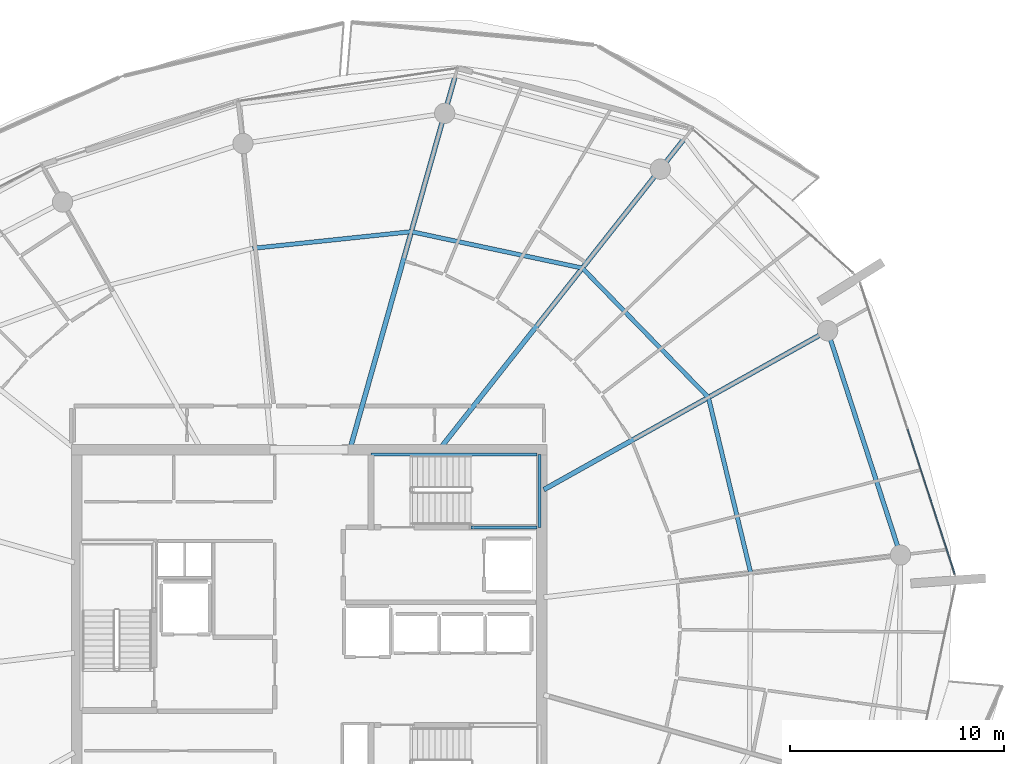
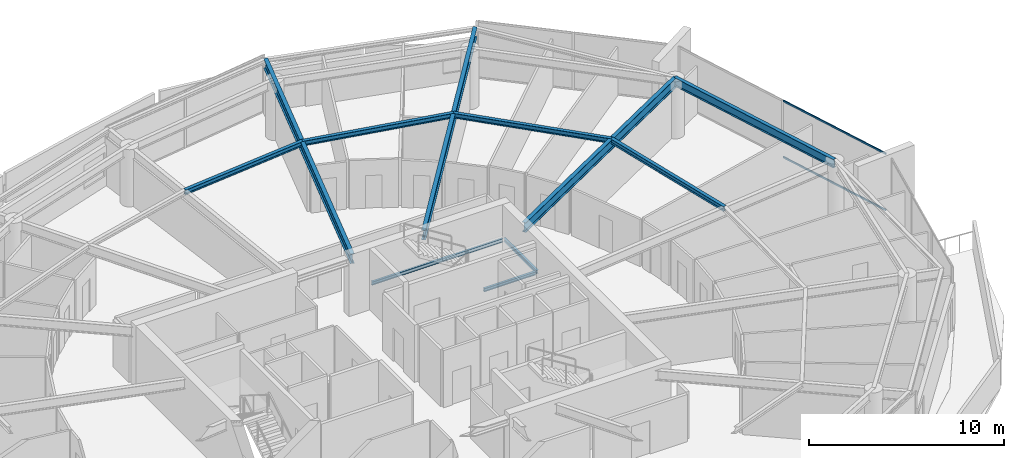
# One storey, part 14 of 30: 11 beams, 2 members, 1 element without a shape of its own.
"""IFC4 building model written with IfcOpenShell, lengths in metres."""

import ifcopenshell
import ifcopenshell.guid

model = None  # the IFC model being written
_history = None  # IfcOwnerHistory: only IFC2X3 demands one
_inside = {}  # id of a spatial element -> (the spatial element, [elements in it])
_under = {}  # id of a project, library or spatial element -> (it, [spatial elements below it])
_declared = {}  # id of a project -> (the project, [libraries it declares])
_typed = {}  # id of a type object -> (the type object, [elements of that type])
_made_of = {}  # id of a material, layer set ... -> (it, [elements and type objects made of it])


def new_model(schema):
    """Start an empty IFC model of exactly this schema.

    Asked for "IFC4X3", IfcOpenShell would pick the latest addendum, in which some entities
    have other attributes; the version numbers below select the first issue.
    IFC2X3 requires an IfcOwnerHistory on every rooted entity: one is made here for all.
    """
    global model, _history
    if schema == "IFC4X3":
        model = ifcopenshell.file(schema_version=(4, 3, 0, 0))
    else:
        model = ifcopenshell.file(schema=schema)
    _inside.clear()
    _under.clear()
    _declared.clear()
    _typed.clear()
    _made_of.clear()
    _history = None
    if model.schema == "IFC2X3":
        org = make("IfcOrganization", Name="unknown")
        user = make(
            "IfcPersonAndOrganization",
            ThePerson=make("IfcPerson", FamilyName="unknown"),
            TheOrganization=org,
        )
        app = make(
            "IfcApplication",
            ApplicationDeveloper=org,
            Version="unknown",
            ApplicationFullName="unknown",
            ApplicationIdentifier="unknown",
        )
        _history = make(
            "IfcOwnerHistory",
            OwningUser=user,
            OwningApplication=app,
            ChangeAction="ADDED",
            CreationDate=0,
        )
    return model


def make(cls, **values):
    """One entity of the class cls with the attributes given. An attribute that is None is left unset."""
    return model.create_entity(
        cls, **{name: value for name, value in values.items() if value is not None}
    )


def rooted(cls, **values):
    """An entity with a GlobalId (a new one), such as an element, a storey or a relation."""
    return make(cls, GlobalId=ifcopenshell.guid.new(), OwnerHistory=_history, **values)


def si_unit(unit_type, name, prefix=None):
    """IfcSIUnit, for example si_unit("LENGTHUNIT", "METRE", prefix="MILLI")."""
    return make("IfcSIUnit", UnitType=unit_type, Prefix=prefix, Name=name)


def assignment(units):
    """IfcUnitAssignment: the units of a project."""
    return None if units is None else make("IfcUnitAssignment", Units=units)


def point(xyz):
    """IfcCartesianPoint."""
    return None if xyz is None else make("IfcCartesianPoint", Coordinates=xyz)


def direction(xyz):
    """IfcDirection."""
    return None if xyz is None else make("IfcDirection", DirectionRatios=xyz)


def frame(location, z_axis=None, x_axis=None):
    """IfcAxis2Placement3D, a coordinate frame: its origin and axes. An axis left out is left unset."""
    return make(
        "IfcAxis2Placement3D",
        Location=point(location),
        Axis=direction(z_axis),
        RefDirection=direction(x_axis),
    )


def frame_2d(location, x_axis=None):
    """IfcAxis2Placement2D, a coordinate frame in the plane: its origin and x axis."""
    return make(
        "IfcAxis2Placement2D", Location=point(location), RefDirection=direction(x_axis)
    )


def origin():
    """The frame at (0, 0, 0) with its axes left unset."""
    return frame((0.0, 0.0, 0.0))


def origin_2d():
    """The frame at (0, 0) in the plane with its x axis left unset."""
    return frame_2d((0.0, 0.0))


def place(relative_to, where):
    """IfcLocalPlacement: puts the frame where relative to a parent placement (None: the world)."""
    return make(
        "IfcLocalPlacement", PlacementRelTo=relative_to, RelativePlacement=where
    )


def context(
    kind, dimensions, precision=None, world=None, true_north=None, identifier=None
):
    """IfcGeometricRepresentationContext, for example the 3D "Model" context."""
    return make(
        "IfcGeometricRepresentationContext",
        ContextIdentifier=identifier,
        ContextType=kind,
        CoordinateSpaceDimension=dimensions,
        Precision=precision,
        WorldCoordinateSystem=world,
        TrueNorth=true_north,
    )


def subcontext(parent, identifier, kind, view, scale=None):
    """IfcGeometricRepresentationSubContext, for example "Body" below "Model"."""
    return make(
        "IfcGeometricRepresentationSubContext",
        ContextIdentifier=identifier,
        ContextType=kind,
        ParentContext=parent,
        TargetScale=scale,
        TargetView=view,
    )


def project(units=None, contexts=None):
    """IfcProject with its units and contexts."""
    return rooted(
        "IfcProject",
        Name="project",
        RepresentationContexts=contexts,
        UnitsInContext=assignment(units),
    )


def spatial(cls, under=None, at=None, **own):
    """A site, building, storey or space (cls), placed at a placement, below another one or the project."""
    s = rooted(cls, ObjectPlacement=at, **own)
    if under is not None:
        _under.setdefault(under.id(), (under, []))[1].append(s)
    return s


def profile(cls, at=None, kind="AREA", **sizes):
    """A parametric profile (cls). Its sizes go by their IFC names, for example OverallWidth=200.0."""
    return make(cls, ProfileType=kind, Position=at, **sizes)


def rectangle(**sizes):
    """IfcRectangleProfileDef."""
    return profile("IfcRectangleProfileDef", **sizes)


def i_section(**sizes):
    """IfcIShapeProfileDef."""
    return profile("IfcIShapeProfileDef", **sizes)


def extrude(swept, where, along, depth):
    """IfcExtrudedAreaSolid: the profile swept, set in the frame where, extruded along a direction by depth."""
    return make(
        "IfcExtrudedAreaSolid",
        SweptArea=swept,
        Position=where,
        ExtrudedDirection=direction(along),
        Depth=depth,
    )


def shape(context_of_items, identifier, shape_type, items):
    """IfcShapeRepresentation: the items that make up one representation, for example the "Body"."""
    return make(
        "IfcShapeRepresentation",
        ContextOfItems=context_of_items,
        RepresentationIdentifier=identifier,
        RepresentationType=shape_type,
        Items=items,
    )


def material(Name=None, Category=None):
    """IfcMaterial."""
    return make("IfcMaterial", Name=Name, Category=Category)


def layer(
    of_material, thickness, ventilated=None, Name=None, Category=None, Priority=None
):
    """IfcMaterialLayer: one layer of a wall or slab, of a material (None: an air gap)."""
    return make(
        "IfcMaterialLayer",
        Material=of_material,
        LayerThickness=thickness,
        IsVentilated=ventilated,
        Name=Name,
        Category=Category,
        Priority=Priority,
    )


def layer_set(layers, Name=None):
    """IfcMaterialLayerSet."""
    return make("IfcMaterialLayerSet", MaterialLayers=layers, LayerSetName=Name)


def material_profile(
    of_material, cross_section, Name=None, Category=None, Priority=None
):
    """IfcMaterialProfile: a cross section and its material."""
    return make(
        "IfcMaterialProfile",
        Name=Name,
        Material=of_material,
        Profile=cross_section,
        Priority=Priority,
        Category=Category,
    )


def profile_set(profiles, Name=None, composite=None):
    """IfcMaterialProfileSet."""
    return make(
        "IfcMaterialProfileSet",
        Name=Name,
        MaterialProfiles=profiles,
        CompositeProfile=composite,
    )


def made_of(thing, what):
    """Note that an element or type object is made of a material, layer set ...; save() writes the relation."""
    if what is not None:
        _made_of.setdefault(what.id(), (what, []))[1].append(thing)
    return thing


def type_object(cls, material=None, **own):
    """A type object (cls), such as IfcWallType, which elements share."""
    return made_of(rooted(cls, **own), material)


def element(
    cls,
    number,
    at=None,
    inside=None,
    cuts=None,
    type_object=None,
    material=None,
    context=None,
    identifier="Body",
    shape_type=None,
    held_by="IfcProductDefinitionShape",
    body=None,
    shapes=None,
    **own,
):
    """One element of the class cls, such as IfcWall. Its Tag is "e" and its number.

    at: its placement. inside: the storey or other place that contains it. cuts: it is an
    opening in that element (IfcRelVoidsElement). A single representation is given by context,
    identifier, shape_type and body (its items); several are given by shapes. held_by: the class
    of the entity that holds the representations. save() writes the other relations.
    """
    e = rooted(cls, Tag="e%d" % number, ObjectPlacement=at, **own)
    if body is not None:
        shapes = [shape(context, identifier, shape_type, body)]
    if shapes is not None:
        e.Representation = make(held_by, Representations=shapes)
    if inside is not None:
        _inside.setdefault(inside.id(), (inside, []))[1].append(e)
    if cuts is not None:
        rooted(
            "IfcRelVoidsElement", RelatingBuildingElement=cuts, RelatedOpeningElement=e
        )
    if type_object is not None:
        _typed.setdefault(type_object.id(), (type_object, []))[1].append(e)
    return made_of(e, material)


def aggregate(whole, parts):
    """IfcRelAggregates: a whole, such as a stair, and the parts it consists of."""
    return rooted("IfcRelAggregates", RelatingObject=whole, RelatedObjects=parts)


def save(model, path):
    """Write the relations noted so far, then the file.

    IfcRelAggregates (storeys below a building ...), IfcRelContainedInSpatialStructure (elements
    in a storey), IfcRelDefinesByType, IfcRelAssociatesMaterial and IfcRelDeclares: one each for
    every whole, place, type object, material and project.
    """
    for whole, parts in _under.values():
        aggregate(whole, parts)
    for where, things in _inside.values():
        rooted(
            "IfcRelContainedInSpatialStructure",
            RelatedElements=things,
            RelatingStructure=where,
        )
    for kind, things in _typed.values():
        rooted("IfcRelDefinesByType", RelatedObjects=things, RelatingType=kind)
    for what, things in _made_of.values():
        rooted("IfcRelAssociatesMaterial", RelatedObjects=things, RelatingMaterial=what)
    for by, libraries in _declared.values():
        rooted("IfcRelDeclares", RelatingContext=by, RelatedDefinitions=libraries)
    model.write(path)


model = new_model("IFC4")

# Units and contexts
model_context = context("Model", 3, precision=1e-05, world=origin(), true_north=direction((0.0, 1.0)))
body_context = subcontext(model_context, "Body", "Model", "MODEL_VIEW")
ifc_project = project(units=[si_unit("LENGTHUNIT", "METRE"), si_unit("AREAUNIT", "SQUARE_METRE"), si_unit("VOLUMEUNIT", "CUBIC_METRE"), si_unit("PLANEANGLEUNIT", "RADIAN"), si_unit("MASSUNIT", "GRAM", prefix="KILO")], contexts=[model_context])

# Site, building, storey
site_placement = place(None, origin())
site = spatial("IfcSite", under=ifc_project, at=site_placement, CompositionType="ELEMENT")
building_placement = place(site_placement, origin())
building = spatial("IfcBuilding", under=site, at=building_placement, Name="Kazma Halo Residences", CompositionType="ELEMENT")
storey_placement = place(building_placement, frame((0.0, 0.0, 279.050048828125)))
storey = spatial("IfcBuildingStorey", under=building, at=storey_placement, Name="L70", CompositionType="ELEMENT", Elevation=279.050048828125)

# Beams
ifc_material_1 = material(Name="Steel S355", Category="steel")
ifc_material_profile_1 = material_profile(ifc_material_1, i_section(OverallWidth=0.22802734375, OverallDepth=0.60791015625, WebThickness=0.01123046875, FlangeThickness=0.017333984375, FilletRadius=0.01806640625, at=origin_2d()), Name="W610x113")
ifc_profile_set_1 = profile_set([ifc_material_profile_1], Name="Steel S355")
beam_type_1 = type_object("IfcBeamType", Name="BM-RAD-W610", PredefinedType="BEAM", material=ifc_profile_set_1)
beam_1_placement = place(storey_placement, frame((59.39990234375, 48.38427734375, 3.285888671875), z_axis=(0.872501636424, 0.488611189432, 0.0), x_axis=(-0.488611189432, 0.872501636424, 0.0)))
element("IfcBeam", 1, at=beam_1_placement, inside=storey, type_object=beam_type_1, Name="L70 radial floor beam 01", PredefinedType="BEAM", context=body_context, shape_type="SweptSolid", body=[
    extrude(i_section(OverallWidth=0.22802734375, OverallDepth=0.60791015625, WebThickness=0.01123046875, FlangeThickness=0.017333984375, FilletRadius=0.01806640625, at=origin_2d()), origin(), (0.0, 0.0, 1.0), 15.209716796875),
])
beam_2_placement = place(storey_placement, frame((54.58251953125, 50.35009765625, 3.285888671875), z_axis=(0.619094367176, 0.785316601461, 0.0), x_axis=(-0.785316601461, 0.619094367176, 0.0)))
element("IfcBeam", 2, at=beam_2_placement, inside=storey, type_object=beam_type_1, Name="L70 radial floor beam 02", PredefinedType="BEAM", context=body_context, shape_type="SweptSolid", body=[
    extrude(i_section(OverallWidth=0.22802734375, OverallDepth=0.60791015625, WebThickness=0.01123046875, FlangeThickness=0.017333984375, FilletRadius=0.01806640625, at=origin_2d()), origin(), (0.0, 0.0, 1.0), 18.429931640625),
])
beam_3_placement = place(storey_placement, frame((50.35498046875, 50.35009765625, 3.285888671875), z_axis=(0.271443175073, 0.962454467861, 0.0), x_axis=(-0.962454467861, 0.271443175073, 0.0)))
element("IfcBeam", 3, at=beam_3_placement, inside=storey, type_object=beam_type_1, Name="L70 radial floor beam 03", PredefinedType="BEAM", context=body_context, shape_type="SweptSolid", body=[
    extrude(i_section(OverallWidth=0.22802734375, OverallDepth=0.60791015625, WebThickness=0.01123046875, FlangeThickness=0.017333984375, FilletRadius=0.01806640625, at=origin_2d()), origin(), (0.0, 0.0, 1.0), 18.089111328125),
])
ifc_material_profile_2 = material_profile(ifc_material_1, i_section(OverallWidth=0.202880859375, OverallDepth=0.302978515625, WebThickness=0.007568359375, FlangeThickness=0.01318359375, FilletRadius=0.013916015625, at=origin_2d()), Name="W310x60")
ifc_profile_set_2 = profile_set([ifc_material_profile_2], Name="Steel S355")
beam_type_2 = type_object("IfcBeamType", Name="BM-SEC-W310A", PredefinedType="JOIST", material=ifc_profile_set_2)
beam_4_placement = place(storey_placement, frame((67.0966796875, 52.694580078125, 3.4384765625), z_axis=(-0.697959749995, 0.716136989261, 0.0), x_axis=(-0.716136989261, -0.697959749995, 0.0)))
element("IfcBeam", 4, at=beam_4_placement, inside=storey, type_object=beam_type_2, Name="L70 circumferential floor joist 01", PredefinedType="JOIST", context=body_context, shape_type="SweptSolid", body=[
    extrude(i_section(OverallWidth=0.202880859375, OverallDepth=0.302978515625, WebThickness=0.007568359375, FlangeThickness=0.01318359375, FilletRadius=0.013916015625, at=origin_2d()), origin(), (0.0, 0.0, 1.0), 8.4482421875),
])
beam_5_placement = place(storey_placement, frame((61.2001953125, 58.74462890625, 3.4384765625), z_axis=(-0.97806685939, 0.208291186956, 0.0), x_axis=(-0.208291186956, -0.97806685939, 0.0)))
element("IfcBeam", 5, at=beam_5_placement, inside=storey, type_object=beam_type_2, Name="L70 circumferential floor joist 02", PredefinedType="JOIST", context=body_context, shape_type="SweptSolid", body=[
    extrude(i_section(OverallWidth=0.202880859375, OverallDepth=0.302978515625, WebThickness=0.007568359375, FlangeThickness=0.01318359375, FilletRadius=0.013916015625, at=origin_2d()), origin(), (0.0, 0.0, 1.0), 8.1767578125),
])
beam_6_placement = place(storey_placement, frame((53.202880859375, 60.44775390625, 3.4384765625), z_axis=(-0.994500789339, -0.104729079076, 0.0), x_axis=(0.104729079076, -0.994500789339, 0.0)))
element("IfcBeam", 6, at=beam_6_placement, inside=storey, type_object=beam_type_2, Name="L70 circumferential floor joist 03", PredefinedType="JOIST", context=body_context, shape_type="SweptSolid", body=[
    extrude(i_section(OverallWidth=0.202880859375, OverallDepth=0.302978515625, WebThickness=0.007568359375, FlangeThickness=0.01318359375, FilletRadius=0.013916015625, at=origin_2d()), origin(), (0.0, 0.0, 1.0), 7.459716796875),
])
beam_7_placement = place(storey_placement, frame((69.07421875, 44.494384765625, 3.4384765625), z_axis=(-0.234436822548, 0.972131357499, 0.0), x_axis=(-0.972131357499, -0.234436822548, 0.0)))
element("IfcBeam", 7, at=beam_7_placement, inside=storey, type_object=beam_type_2, Name="L70 circumferential floor joist 16", PredefinedType="JOIST", context=body_context, shape_type="SweptSolid", body=[
    extrude(i_section(OverallWidth=0.202880859375, OverallDepth=0.302978515625, WebThickness=0.007568359375, FlangeThickness=0.01318359375, FilletRadius=0.013916015625, at=origin_2d()), origin(), (0.0, 0.0, 1.0), 8.435302734375),
])
ifc_material_profile_3 = material_profile(ifc_material_1, i_section(OverallWidth=0.208984375, OverallDepth=0.532958984375, WebThickness=0.01025390625, FlangeThickness=0.015625, FilletRadius=0.01611328125, at=origin_2d()), Name="W530x92")
ifc_profile_set_3 = profile_set([ifc_material_profile_3], Name="Steel S355")
beam_type_3 = type_object("IfcBeamType", Name="BM-SPN-W530", PredefinedType="BEAM", material=ifc_profile_set_3)
beam_8_placement = place(storey_placement, frame((76.07958984375, 45.323486328125, 3.323486328125), z_axis=(-0.309015517474, 0.951056996168, 0.0), x_axis=(-0.951056996168, -0.309015517474, 0.0)))
element("IfcBeam", 8, at=beam_8_placement, inside=storey, type_object=beam_type_3, Name="L70 perimeter ring beam 16", PredefinedType="BEAM", context=body_context, shape_type="SweptSolid", body=[
    extrude(i_section(OverallWidth=0.208984375, OverallDepth=0.532958984375, WebThickness=0.01025390625, FlangeThickness=0.015625, FilletRadius=0.01611328125, at=origin_2d()), origin(), (0.0, 0.0, 1.0), 11.032470703125),
])
ifc_material_profile_4 = material_profile(ifc_material_1, i_section(OverallWidth=0.133056640625, OverallDepth=0.20703125, WebThickness=0.005859375, FlangeThickness=0.00830078125, FilletRadius=0.010009765625, at=origin_2d()), Name="W200x26.6")
ifc_profile_set_4 = profile_set([ifc_material_profile_4], Name="Steel S355")
beam_type_4 = type_object("IfcBeamType", Name="BM-TRIM-W200", PredefinedType="BEAM", material=ifc_profile_set_4)
beam_9_placement = place(storey_placement, frame((51.31005859375, 50.02001953125, 1.619873046875), z_axis=(1.0, 0.0, 0.0), x_axis=(0.0, 1.0, 0.0)))
element("IfcBeam", 9, at=beam_9_placement, inside=storey, type_object=beam_type_4, Name="L70 ST-02 landing north wall ledger", PredefinedType="BEAM", context=body_context, shape_type="SweptSolid", body=[
    extrude(i_section(OverallWidth=0.133056640625, OverallDepth=0.20703125, WebThickness=0.005859375, FlangeThickness=0.00830078125, FilletRadius=0.010009765625, at=origin_2d()), origin(), (0.0, 0.0, 1.0), 7.760009765625),
])
beam_10_placement = place(storey_placement, frame((56.0, 46.6201171875, 1.619873046875), z_axis=(1.0, 0.0, 0.0), x_axis=(0.0, 1.0, 0.0)))
element("IfcBeam", 10, at=beam_10_placement, inside=storey, type_object=beam_type_4, Name="L70 ST-02 landing south wall ledger", PredefinedType="BEAM", context=body_context, shape_type="SweptSolid", body=[
    extrude(i_section(OverallWidth=0.133056640625, OverallDepth=0.20703125, WebThickness=0.005859375, FlangeThickness=0.00830078125, FilletRadius=0.010009765625, at=origin_2d()), origin(), (0.0, 0.0, 1.0), 3.070068359375),
])
beam_11_placement = place(storey_placement, frame((59.18994140625, 46.6201171875, 1.619873046875), z_axis=(0.0, 1.0, 0.0), x_axis=(-1.0, 0.0, 0.0)))
element("IfcBeam", 11, at=beam_11_placement, inside=storey, type_object=beam_type_4, Name="L70 ST-02 landing end wall ledger", PredefinedType="BEAM", context=body_context, shape_type="SweptSolid", body=[
    extrude(i_section(OverallWidth=0.133056640625, OverallDepth=0.20703125, WebThickness=0.005859375, FlangeThickness=0.00830078125, FilletRadius=0.010009765625, at=origin_2d()), origin(), (0.0, 0.0, 1.0), 3.39990234375),
])

# Curtain wall, members
ifc_material_2 = material(Name="Aluminium AW-6063 T6 and Triple-Silver Low-E Glass", Category="aluminium")
ifc_layer = layer(ifc_material_2, 0.139892578125)
ifc_layer_set = layer_set([ifc_layer], Name="Aluminium AW-6063 T6 and Triple-Silver Low-E Glass")
curtain_wall_type = type_object("IfcCurtainWallType", Name="CW-SYS-5", PredefinedType="NOTDEFINED", material=ifc_layer_set)
curtain_wall_placement = place(storey_placement, origin())
curtain_wall = element("IfcCurtainWall", 12, at=curtain_wall_placement, inside=storey, type_object=curtain_wall_type, Name="L70 unitised curtain wall B16", PredefinedType="NOTDEFINED")
ifc_material_3 = material(Name="Aluminium AW-6063 T6", Category="aluminium")
ifc_material_profile_5 = material_profile(ifc_material_3, rectangle(XDim=0.06005859375, YDim=0.10498046875, at=origin_2d()), Name="CWT-60x105")
ifc_profile_set_5 = profile_set([ifc_material_profile_5], Name="Aluminium AW-6063 T6")
member_type = type_object("IfcMemberType", Name="CW-SYS-5-TRN", PredefinedType="USERDEFINED", material=ifc_profile_set_5)
member_1_placement = place(storey_placement, frame((78.613525390625, 44.44091796875, 0.030029296875), z_axis=(-0.308995987448, 0.951063341603, 0.0), x_axis=(-0.951063341603, -0.308995987448, 0.0)))
member_1 = element("IfcMember", 13, at=member_1_placement, type_object=member_type, Name="CWS-5 transom 1.1", ObjectType="TRANSOM", PredefinedType="USERDEFINED", context=body_context, shape_type="SweptSolid", body=[
    extrude(rectangle(XDim=0.06005859375, YDim=0.10498046875, at=origin_2d()), origin(), (0.0, 0.0, 1.0), 7.108642578125),
])
member_2_placement = place(storey_placement, frame((78.613525390625, 44.44091796875, 3.56005859375), z_axis=(-0.308995987448, 0.951063341603, 0.0), x_axis=(-0.951063341603, -0.308995987448, 0.0)))
member_2 = element("IfcMember", 14, at=member_2_placement, type_object=member_type, Name="CWS-5 transom 1.2", ObjectType="TRANSOM", PredefinedType="USERDEFINED", context=body_context, shape_type="SweptSolid", body=[
    extrude(rectangle(XDim=0.06005859375, YDim=0.10498046875, at=origin_2d()), origin(), (0.0, 0.0, 1.0), 7.108642578125),
])
aggregate(curtain_wall, [member_1, member_2])

save(model, "model.ifc")
